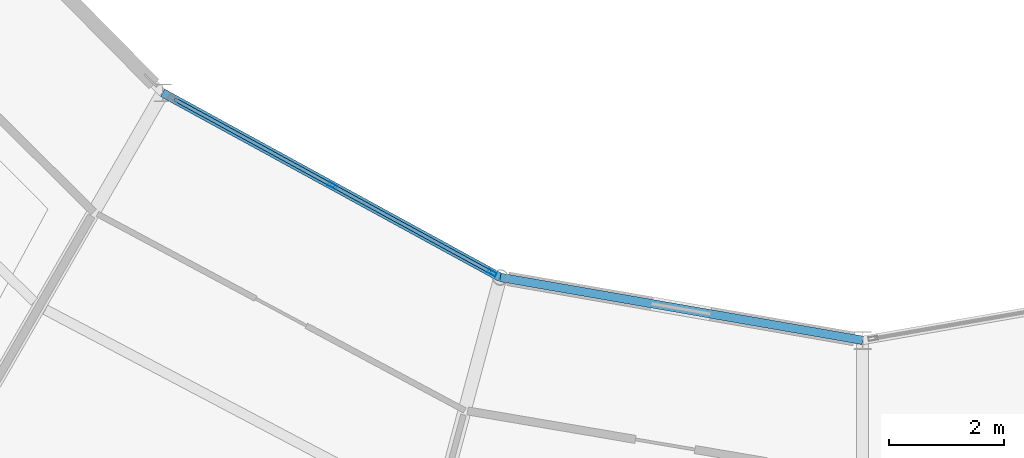
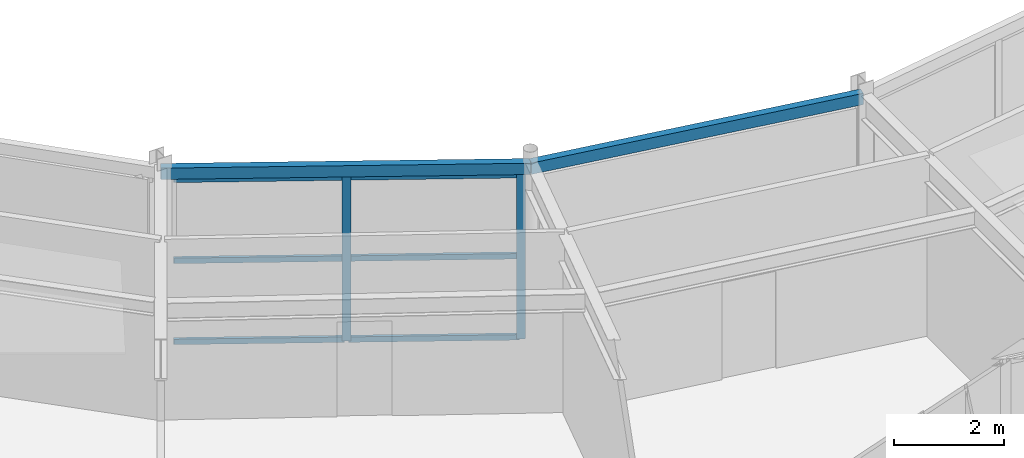
# One storey, part 30 of 147: 8 members, 2 beams, 1 element without a shape of its own.
"""IFC4 building model written with IfcOpenShell, lengths in metres."""

import ifcopenshell
import ifcopenshell.guid

model = None  # the IFC model being written
_history = None  # IfcOwnerHistory: only IFC2X3 demands one
_inside = {}  # id of a spatial element -> (the spatial element, [elements in it])
_under = {}  # id of a project, library or spatial element -> (it, [spatial elements below it])
_declared = {}  # id of a project -> (the project, [libraries it declares])
_typed = {}  # id of a type object -> (the type object, [elements of that type])
_made_of = {}  # id of a material, layer set ... -> (it, [elements and type objects made of it])


def new_model(schema):
    """Start an empty IFC model of exactly this schema.

    Asked for "IFC4X3", IfcOpenShell would pick the latest addendum, in which some entities
    have other attributes; the version numbers below select the first issue.
    IFC2X3 requires an IfcOwnerHistory on every rooted entity: one is made here for all.
    """
    global model, _history
    if schema == "IFC4X3":
        model = ifcopenshell.file(schema_version=(4, 3, 0, 0))
    else:
        model = ifcopenshell.file(schema=schema)
    _inside.clear()
    _under.clear()
    _declared.clear()
    _typed.clear()
    _made_of.clear()
    _history = None
    if model.schema == "IFC2X3":
        org = make("IfcOrganization", Name="unknown")
        user = make(
            "IfcPersonAndOrganization",
            ThePerson=make("IfcPerson", FamilyName="unknown"),
            TheOrganization=org,
        )
        app = make(
            "IfcApplication",
            ApplicationDeveloper=org,
            Version="unknown",
            ApplicationFullName="unknown",
            ApplicationIdentifier="unknown",
        )
        _history = make(
            "IfcOwnerHistory",
            OwningUser=user,
            OwningApplication=app,
            ChangeAction="ADDED",
            CreationDate=0,
        )
    return model


def make(cls, **values):
    """One entity of the class cls with the attributes given. An attribute that is None is left unset."""
    return model.create_entity(
        cls, **{name: value for name, value in values.items() if value is not None}
    )


def rooted(cls, **values):
    """An entity with a GlobalId (a new one), such as an element, a storey or a relation."""
    return make(cls, GlobalId=ifcopenshell.guid.new(), OwnerHistory=_history, **values)


def si_unit(unit_type, name, prefix=None):
    """IfcSIUnit, for example si_unit("LENGTHUNIT", "METRE", prefix="MILLI")."""
    return make("IfcSIUnit", UnitType=unit_type, Prefix=prefix, Name=name)


def assignment(units):
    """IfcUnitAssignment: the units of a project."""
    return None if units is None else make("IfcUnitAssignment", Units=units)


def point(xyz):
    """IfcCartesianPoint."""
    return None if xyz is None else make("IfcCartesianPoint", Coordinates=xyz)


def direction(xyz):
    """IfcDirection."""
    return None if xyz is None else make("IfcDirection", DirectionRatios=xyz)


def frame(location, z_axis=None, x_axis=None):
    """IfcAxis2Placement3D, a coordinate frame: its origin and axes. An axis left out is left unset."""
    return make(
        "IfcAxis2Placement3D",
        Location=point(location),
        Axis=direction(z_axis),
        RefDirection=direction(x_axis),
    )


def frame_2d(location, x_axis=None):
    """IfcAxis2Placement2D, a coordinate frame in the plane: its origin and x axis."""
    return make(
        "IfcAxis2Placement2D", Location=point(location), RefDirection=direction(x_axis)
    )


def origin():
    """The frame at (0, 0, 0) with its axes left unset."""
    return frame((0.0, 0.0, 0.0))


def origin_2d():
    """The frame at (0, 0) in the plane with its x axis left unset."""
    return frame_2d((0.0, 0.0))


def place(relative_to, where):
    """IfcLocalPlacement: puts the frame where relative to a parent placement (None: the world)."""
    return make(
        "IfcLocalPlacement", PlacementRelTo=relative_to, RelativePlacement=where
    )


def context(
    kind, dimensions, precision=None, world=None, true_north=None, identifier=None
):
    """IfcGeometricRepresentationContext, for example the 3D "Model" context."""
    return make(
        "IfcGeometricRepresentationContext",
        ContextIdentifier=identifier,
        ContextType=kind,
        CoordinateSpaceDimension=dimensions,
        Precision=precision,
        WorldCoordinateSystem=world,
        TrueNorth=true_north,
    )


def subcontext(parent, identifier, kind, view, scale=None):
    """IfcGeometricRepresentationSubContext, for example "Body" below "Model"."""
    return make(
        "IfcGeometricRepresentationSubContext",
        ContextIdentifier=identifier,
        ContextType=kind,
        ParentContext=parent,
        TargetScale=scale,
        TargetView=view,
    )


def project(units=None, contexts=None):
    """IfcProject with its units and contexts."""
    return rooted(
        "IfcProject",
        Name="project",
        RepresentationContexts=contexts,
        UnitsInContext=assignment(units),
    )


def spatial(cls, under=None, at=None, **own):
    """A site, building, storey or space (cls), placed at a placement, below another one or the project."""
    s = rooted(cls, ObjectPlacement=at, **own)
    if under is not None:
        _under.setdefault(under.id(), (under, []))[1].append(s)
    return s


def profile(cls, at=None, kind="AREA", **sizes):
    """A parametric profile (cls). Its sizes go by their IFC names, for example OverallWidth=200.0."""
    return make(cls, ProfileType=kind, Position=at, **sizes)


def hollow_rectangle(**sizes):
    """IfcRectangleHollowProfileDef."""
    return profile("IfcRectangleHollowProfileDef", **sizes)


def extrude(swept, where, along, depth):
    """IfcExtrudedAreaSolid: the profile swept, set in the frame where, extruded along a direction by depth."""
    return make(
        "IfcExtrudedAreaSolid",
        SweptArea=swept,
        Position=where,
        ExtrudedDirection=direction(along),
        Depth=depth,
    )


def shape(context_of_items, identifier, shape_type, items):
    """IfcShapeRepresentation: the items that make up one representation, for example the "Body"."""
    return make(
        "IfcShapeRepresentation",
        ContextOfItems=context_of_items,
        RepresentationIdentifier=identifier,
        RepresentationType=shape_type,
        Items=items,
    )


def material(Name=None, Category=None):
    """IfcMaterial."""
    return make("IfcMaterial", Name=Name, Category=Category)


def material_profile(
    of_material, cross_section, Name=None, Category=None, Priority=None
):
    """IfcMaterialProfile: a cross section and its material."""
    return make(
        "IfcMaterialProfile",
        Name=Name,
        Material=of_material,
        Profile=cross_section,
        Priority=Priority,
        Category=Category,
    )


def profile_set(profiles, Name=None, composite=None):
    """IfcMaterialProfileSet."""
    return make(
        "IfcMaterialProfileSet",
        Name=Name,
        MaterialProfiles=profiles,
        CompositeProfile=composite,
    )


def made_of(thing, what):
    """Note that an element or type object is made of a material, layer set ...; save() writes the relation."""
    if what is not None:
        _made_of.setdefault(what.id(), (what, []))[1].append(thing)
    return thing


def type_object(cls, material=None, **own):
    """A type object (cls), such as IfcWallType, which elements share."""
    return made_of(rooted(cls, **own), material)


def element(
    cls,
    number,
    at=None,
    inside=None,
    cuts=None,
    type_object=None,
    material=None,
    context=None,
    identifier="Body",
    shape_type=None,
    held_by="IfcProductDefinitionShape",
    body=None,
    shapes=None,
    **own,
):
    """One element of the class cls, such as IfcWall. Its Tag is "e" and its number.

    at: its placement. inside: the storey or other place that contains it. cuts: it is an
    opening in that element (IfcRelVoidsElement). A single representation is given by context,
    identifier, shape_type and body (its items); several are given by shapes. held_by: the class
    of the entity that holds the representations. save() writes the other relations.
    """
    e = rooted(cls, Tag="e%d" % number, ObjectPlacement=at, **own)
    if body is not None:
        shapes = [shape(context, identifier, shape_type, body)]
    if shapes is not None:
        e.Representation = make(held_by, Representations=shapes)
    if inside is not None:
        _inside.setdefault(inside.id(), (inside, []))[1].append(e)
    if cuts is not None:
        rooted(
            "IfcRelVoidsElement", RelatingBuildingElement=cuts, RelatedOpeningElement=e
        )
    if type_object is not None:
        _typed.setdefault(type_object.id(), (type_object, []))[1].append(e)
    return made_of(e, material)


def aggregate(whole, parts):
    """IfcRelAggregates: a whole, such as a stair, and the parts it consists of."""
    return rooted("IfcRelAggregates", RelatingObject=whole, RelatedObjects=parts)


def save(model, path):
    """Write the relations noted so far, then the file.

    IfcRelAggregates (storeys below a building ...), IfcRelContainedInSpatialStructure (elements
    in a storey), IfcRelDefinesByType, IfcRelAssociatesMaterial and IfcRelDeclares: one each for
    every whole, place, type object, material and project.
    """
    for whole, parts in _under.values():
        aggregate(whole, parts)
    for where, things in _inside.values():
        rooted(
            "IfcRelContainedInSpatialStructure",
            RelatedElements=things,
            RelatingStructure=where,
        )
    for kind, things in _typed.values():
        rooted("IfcRelDefinesByType", RelatedObjects=things, RelatingType=kind)
    for what, things in _made_of.values():
        rooted("IfcRelAssociatesMaterial", RelatedObjects=things, RelatingMaterial=what)
    for by, libraries in _declared.values():
        rooted("IfcRelDeclares", RelatingContext=by, RelatedDefinitions=libraries)
    model.write(path)


model = new_model("IFC4")

# Units and contexts
model_context = context("Model", 3, precision=1e-05, world=origin(), true_north=direction((0.0, 1.0)))
body_context = subcontext(model_context, "Body", "Model", "MODEL_VIEW")
ifc_project = project(units=[si_unit("LENGTHUNIT", "METRE"), si_unit("AREAUNIT", "SQUARE_METRE"), si_unit("VOLUMEUNIT", "CUBIC_METRE"), si_unit("PLANEANGLEUNIT", "RADIAN"), si_unit("MASSUNIT", "GRAM", prefix="KILO")], contexts=[model_context])

# Site, building, storey
site_placement = place(None, origin())
site = spatial("IfcSite", under=ifc_project, at=site_placement, CompositionType="ELEMENT")
building_placement = place(site_placement, origin())
building = spatial("IfcBuilding", under=site, at=building_placement, Name="Karori Crest Natural Sciences Institute", CompositionType="ELEMENT")
storey_placement = place(building_placement, frame((0.0, 0.0, 9.10009765625)))
storey = spatial("IfcBuildingStorey", under=building, at=storey_placement, Name="L02", CompositionType="ELEMENT", Elevation=9.10009765625)

# Beams
ifc_material_1 = material(Name="Hollow structural steel AS/NZS 1163 Grade C350", Category="steel")
ifc_material_profile_1 = material_profile(ifc_material_1, hollow_rectangle(XDim=0.14990234375, YDim=0.25, WallThickness=0.009033203125, at=origin_2d()), Name="RHS250x150x9")
ifc_profile_set_1 = profile_set([ifc_material_profile_1], Name="Hollow structural steel AS/NZS 1163 Grade C350")
beam_type = type_object("IfcBeamType", Name="BT-16", PredefinedType="SPANDREL", material=ifc_profile_set_1)
beam_1_placement = place(storey_placement, frame((54.199951171875, 22.013916015625, 3.789794921875), z_axis=(0.877461157042, -0.479647701842, 0.0), x_axis=(0.479647701842, 0.877461157042, 0.0)))
element("IfcBeam", 1, at=beam_1_placement, inside=storey, type_object=beam_type, Name="Beam B-0331", PredefinedType="SPANDREL", context=body_context, shape_type="SweptSolid", body=[
    extrude(hollow_rectangle(XDim=0.14990234375, YDim=0.25, WallThickness=0.009033203125, at=origin_2d()), origin(), (0.0, 0.0, 1.0), 6.70654296875),
])
beam_2_placement = place(storey_placement, frame((60.084716796875, 18.797119140625, 3.789794921875), z_axis=(0.985241372425, -0.17117078624, 0.0), x_axis=(0.17117078624, 0.985241372425, 0.0)))
element("IfcBeam", 2, at=beam_2_placement, inside=storey, type_object=beam_type, Name="Beam B-0335", PredefinedType="SPANDREL", context=body_context, shape_type="SweptSolid", body=[
    extrude(hollow_rectangle(XDim=0.14990234375, YDim=0.25, WallThickness=0.009033203125, at=origin_2d()), origin(), (0.0, 0.0, 1.0), 6.40966796875),
])

# Curtain wall, members
ifc_material_2 = material(Name="Anodised architectural aluminium 6063-T6", Category="aluminium")
curtain_wall_type = type_object("IfcCurtainWallType", Name="CWT-12", PredefinedType="NOTDEFINED", material=ifc_material_2)
curtain_wall_placement = place(storey_placement, origin())
curtain_wall = element("IfcCurtainWall", 3, at=curtain_wall_placement, inside=storey, type_object=curtain_wall_type, Name="Curtain wall CW-0089", PredefinedType="NOTDEFINED")
ifc_material_profile_2 = material_profile(ifc_material_2, hollow_rectangle(XDim=0.06494140625, YDim=0.159912109375, WallThickness=0.00390625, at=origin_2d()), Name="CWM160x65x4")
ifc_profile_set_2 = profile_set([ifc_material_profile_2], Name="Anodised architectural aluminium 6063-T6")
member_type_1 = type_object("IfcMemberType", Name="CWM-01", PredefinedType="MULLION", material=ifc_profile_set_2)
member_1_placement = place(storey_placement, frame((57.15869140625, 20.396728515625, 0.0), z_axis=(0.0, 0.0, 1.0), x_axis=(0.479643389875, 0.877463514084, 0.0)))
member_1 = element("IfcMember", 4, at=member_1_placement, type_object=member_type_1, Name="CW-0089 mullion 2", PredefinedType="MULLION", context=body_context, shape_type="SweptSolid", body=[
    extrude(hollow_rectangle(XDim=0.06494140625, YDim=0.159912109375, WallThickness=0.00390625, at=origin_2d()), origin(), (0.0, 0.0, 1.0), 3.64990234375),
])
member_2_placement = place(storey_placement, frame((59.938232421875, 18.877197265625, 0.0), z_axis=(0.0, 0.0, 1.0), x_axis=(0.479643389875, 0.877463514084, 0.0)))
member_2 = element("IfcMember", 5, at=member_2_placement, type_object=member_type_1, Name="CW-0089 mullion 3", PredefinedType="MULLION", context=body_context, shape_type="SweptSolid", body=[
    extrude(hollow_rectangle(XDim=0.06494140625, YDim=0.159912109375, WallThickness=0.00390625, at=origin_2d()), origin(), (0.0, 0.0, 1.0), 3.64990234375),
])
ifc_material_profile_3 = material_profile(ifc_material_2, hollow_rectangle(XDim=0.06005859375, YDim=0.1201171875, WallThickness=0.00390625, at=origin_2d()), Name="CWT120x60x4")
ifc_profile_set_3 = profile_set([ifc_material_profile_3], Name="Anodised architectural aluminium 6063-T6")
member_type_2 = type_object("IfcMemberType", Name="CWT-TR1", PredefinedType="USERDEFINED", material=ifc_profile_set_3)
member_3_placement = place(storey_placement, frame((54.40771484375, 21.900390625, 0.02978515625), z_axis=(0.877477226723, -0.479618303011, 0.0), x_axis=(0.479618303011, 0.877477226723, 0.0)))
member_3 = element("IfcMember", 6, at=member_3_placement, type_object=member_type_2, Name="CW-0089 transom 1.1", ObjectType="TRANSOM", PredefinedType="USERDEFINED", context=body_context, shape_type="SweptSolid", body=[
    extrude(hollow_rectangle(XDim=0.06005859375, YDim=0.1201171875, WallThickness=0.00390625, at=origin_2d()), origin(), (0.0, 0.0, 1.0), 3.1025390625),
])
member_4_placement = place(storey_placement, frame((54.40771484375, 21.900390625, 1.824951171875), z_axis=(0.877477226723, -0.479618303011, 0.0), x_axis=(0.479618303011, 0.877477226723, 0.0)))
member_4 = element("IfcMember", 7, at=member_4_placement, type_object=member_type_2, Name="CW-0089 transom 1.2", ObjectType="TRANSOM", PredefinedType="USERDEFINED", context=body_context, shape_type="SweptSolid", body=[
    extrude(hollow_rectangle(XDim=0.06005859375, YDim=0.1201171875, WallThickness=0.00390625, at=origin_2d()), origin(), (0.0, 0.0, 1.0), 3.1025390625),
])
member_5_placement = place(storey_placement, frame((54.40771484375, 21.900390625, 3.619873046875), z_axis=(0.877477226723, -0.479618303011, 0.0), x_axis=(0.479618303011, 0.877477226723, 0.0)))
member_5 = element("IfcMember", 8, at=member_5_placement, type_object=member_type_2, Name="CW-0089 transom 1.3", ObjectType="TRANSOM", PredefinedType="USERDEFINED", context=body_context, shape_type="SweptSolid", body=[
    extrude(hollow_rectangle(XDim=0.06005859375, YDim=0.1201171875, WallThickness=0.00390625, at=origin_2d()), origin(), (0.0, 0.0, 1.0), 3.1025390625),
])
member_6_placement = place(storey_placement, frame((57.187255859375, 20.381103515625, 0.02978515625), z_axis=(0.877444108679, -0.479678888576, 0.0), x_axis=(0.479678888576, 0.877444108679, 0.0)))
member_6 = element("IfcMember", 9, at=member_6_placement, type_object=member_type_2, Name="CW-0089 transom 2.1", ObjectType="TRANSOM", PredefinedType="USERDEFINED", context=body_context, shape_type="SweptSolid", body=[
    extrude(hollow_rectangle(XDim=0.06005859375, YDim=0.1201171875, WallThickness=0.00390625, at=origin_2d()), origin(), (0.0, 0.0, 1.0), 3.102783203125),
])
member_7_placement = place(storey_placement, frame((57.187255859375, 20.381103515625, 1.824951171875), z_axis=(0.877444108679, -0.479678888576, 0.0), x_axis=(0.479678888576, 0.877444108679, 0.0)))
member_7 = element("IfcMember", 10, at=member_7_placement, type_object=member_type_2, Name="CW-0089 transom 2.2", ObjectType="TRANSOM", PredefinedType="USERDEFINED", context=body_context, shape_type="SweptSolid", body=[
    extrude(hollow_rectangle(XDim=0.06005859375, YDim=0.1201171875, WallThickness=0.00390625, at=origin_2d()), origin(), (0.0, 0.0, 1.0), 3.102783203125),
])
member_8_placement = place(storey_placement, frame((57.187255859375, 20.381103515625, 3.619873046875), z_axis=(0.877444108679, -0.479678888576, 0.0), x_axis=(0.479678888576, 0.877444108679, 0.0)))
member_8 = element("IfcMember", 11, at=member_8_placement, type_object=member_type_2, Name="CW-0089 transom 2.3", ObjectType="TRANSOM", PredefinedType="USERDEFINED", context=body_context, shape_type="SweptSolid", body=[
    extrude(hollow_rectangle(XDim=0.06005859375, YDim=0.1201171875, WallThickness=0.00390625, at=origin_2d()), origin(), (0.0, 0.0, 1.0), 3.102783203125),
])
aggregate(curtain_wall, [member_1, member_2, member_3, member_4, member_5, member_6, member_7, member_8])

save(model, "model.ifc")
